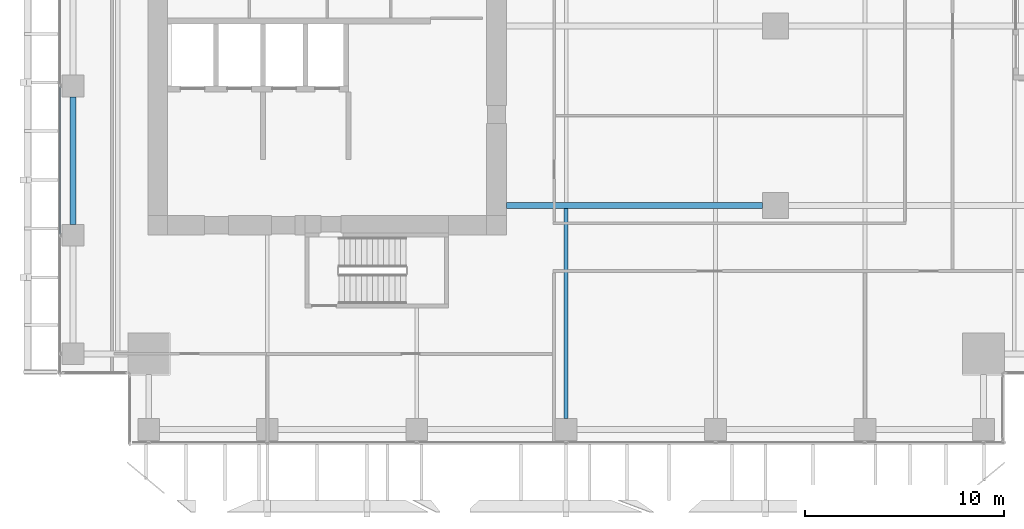
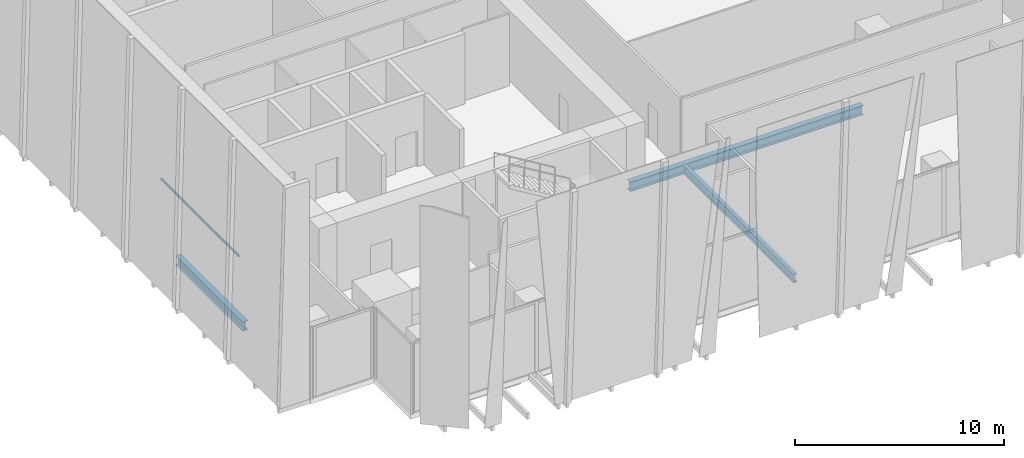
# One storey, part 6 of 36: 3 beams, 1 member, 1 element without a shape of its own.
"""IFC4 building model written with IfcOpenShell, lengths in metres."""

import ifcopenshell
import ifcopenshell.guid

model = None  # the IFC model being written
_history = None  # IfcOwnerHistory: only IFC2X3 demands one
_inside = {}  # id of a spatial element -> (the spatial element, [elements in it])
_under = {}  # id of a project, library or spatial element -> (it, [spatial elements below it])
_declared = {}  # id of a project -> (the project, [libraries it declares])
_typed = {}  # id of a type object -> (the type object, [elements of that type])
_made_of = {}  # id of a material, layer set ... -> (it, [elements and type objects made of it])


def new_model(schema):
    """Start an empty IFC model of exactly this schema.

    Asked for "IFC4X3", IfcOpenShell would pick the latest addendum, in which some entities
    have other attributes; the version numbers below select the first issue.
    IFC2X3 requires an IfcOwnerHistory on every rooted entity: one is made here for all.
    """
    global model, _history
    if schema == "IFC4X3":
        model = ifcopenshell.file(schema_version=(4, 3, 0, 0))
    else:
        model = ifcopenshell.file(schema=schema)
    _inside.clear()
    _under.clear()
    _declared.clear()
    _typed.clear()
    _made_of.clear()
    _history = None
    if model.schema == "IFC2X3":
        org = make("IfcOrganization", Name="unknown")
        user = make(
            "IfcPersonAndOrganization",
            ThePerson=make("IfcPerson", FamilyName="unknown"),
            TheOrganization=org,
        )
        app = make(
            "IfcApplication",
            ApplicationDeveloper=org,
            Version="unknown",
            ApplicationFullName="unknown",
            ApplicationIdentifier="unknown",
        )
        _history = make(
            "IfcOwnerHistory",
            OwningUser=user,
            OwningApplication=app,
            ChangeAction="ADDED",
            CreationDate=0,
        )
    return model


def make(cls, **values):
    """One entity of the class cls with the attributes given. An attribute that is None is left unset."""
    return model.create_entity(
        cls, **{name: value for name, value in values.items() if value is not None}
    )


def rooted(cls, **values):
    """An entity with a GlobalId (a new one), such as an element, a storey or a relation."""
    return make(cls, GlobalId=ifcopenshell.guid.new(), OwnerHistory=_history, **values)


def si_unit(unit_type, name, prefix=None):
    """IfcSIUnit, for example si_unit("LENGTHUNIT", "METRE", prefix="MILLI")."""
    return make("IfcSIUnit", UnitType=unit_type, Prefix=prefix, Name=name)


def assignment(units):
    """IfcUnitAssignment: the units of a project."""
    return None if units is None else make("IfcUnitAssignment", Units=units)


def point(xyz):
    """IfcCartesianPoint."""
    return None if xyz is None else make("IfcCartesianPoint", Coordinates=xyz)


def direction(xyz):
    """IfcDirection."""
    return None if xyz is None else make("IfcDirection", DirectionRatios=xyz)


def frame(location, z_axis=None, x_axis=None):
    """IfcAxis2Placement3D, a coordinate frame: its origin and axes. An axis left out is left unset."""
    return make(
        "IfcAxis2Placement3D",
        Location=point(location),
        Axis=direction(z_axis),
        RefDirection=direction(x_axis),
    )


def frame_2d(location, x_axis=None):
    """IfcAxis2Placement2D, a coordinate frame in the plane: its origin and x axis."""
    return make(
        "IfcAxis2Placement2D", Location=point(location), RefDirection=direction(x_axis)
    )


def origin():
    """The frame at (0, 0, 0) with its axes left unset."""
    return frame((0.0, 0.0, 0.0))


def origin_2d():
    """The frame at (0, 0) in the plane with its x axis left unset."""
    return frame_2d((0.0, 0.0))


def place(relative_to, where):
    """IfcLocalPlacement: puts the frame where relative to a parent placement (None: the world)."""
    return make(
        "IfcLocalPlacement", PlacementRelTo=relative_to, RelativePlacement=where
    )


def context(
    kind, dimensions, precision=None, world=None, true_north=None, identifier=None
):
    """IfcGeometricRepresentationContext, for example the 3D "Model" context."""
    return make(
        "IfcGeometricRepresentationContext",
        ContextIdentifier=identifier,
        ContextType=kind,
        CoordinateSpaceDimension=dimensions,
        Precision=precision,
        WorldCoordinateSystem=world,
        TrueNorth=true_north,
    )


def subcontext(parent, identifier, kind, view, scale=None):
    """IfcGeometricRepresentationSubContext, for example "Body" below "Model"."""
    return make(
        "IfcGeometricRepresentationSubContext",
        ContextIdentifier=identifier,
        ContextType=kind,
        ParentContext=parent,
        TargetScale=scale,
        TargetView=view,
    )


def project(units=None, contexts=None):
    """IfcProject with its units and contexts."""
    return rooted(
        "IfcProject",
        Name="project",
        RepresentationContexts=contexts,
        UnitsInContext=assignment(units),
    )


def spatial(cls, under=None, at=None, **own):
    """A site, building, storey or space (cls), placed at a placement, below another one or the project."""
    s = rooted(cls, ObjectPlacement=at, **own)
    if under is not None:
        _under.setdefault(under.id(), (under, []))[1].append(s)
    return s


def profile(cls, at=None, kind="AREA", **sizes):
    """A parametric profile (cls). Its sizes go by their IFC names, for example OverallWidth=200.0."""
    return make(cls, ProfileType=kind, Position=at, **sizes)


def hollow_rectangle(**sizes):
    """IfcRectangleHollowProfileDef."""
    return profile("IfcRectangleHollowProfileDef", **sizes)


def i_section(**sizes):
    """IfcIShapeProfileDef."""
    return profile("IfcIShapeProfileDef", **sizes)


def extrude(swept, where, along, depth):
    """IfcExtrudedAreaSolid: the profile swept, set in the frame where, extruded along a direction by depth."""
    return make(
        "IfcExtrudedAreaSolid",
        SweptArea=swept,
        Position=where,
        ExtrudedDirection=direction(along),
        Depth=depth,
    )


def shape(context_of_items, identifier, shape_type, items):
    """IfcShapeRepresentation: the items that make up one representation, for example the "Body"."""
    return make(
        "IfcShapeRepresentation",
        ContextOfItems=context_of_items,
        RepresentationIdentifier=identifier,
        RepresentationType=shape_type,
        Items=items,
    )


def source(mapping_origin, context_of_items, identifier, shape_type, items):
    """IfcRepresentationMap: a shape defined once, which mapped items show again and again."""
    return make(
        "IfcRepresentationMap",
        MappingOrigin=mapping_origin,
        MappedRepresentation=shape(context_of_items, identifier, shape_type, items),
    )


def transform(
    local_origin,
    x_axis=None,
    y_axis=None,
    z_axis=None,
    scale=None,
    scale2=None,
    scale3=None,
    uniform=True,
):
    """IfcCartesianTransformationOperator3D, or its non-uniform kind. x_axis, y_axis, z_axis: its Axis1, 2, 3."""
    if uniform:
        return make(
            "IfcCartesianTransformationOperator3D",
            Axis1=direction(x_axis),
            Axis2=direction(y_axis),
            LocalOrigin=point(local_origin),
            Scale=scale,
            Axis3=direction(z_axis),
        )
    return make(
        "IfcCartesianTransformationOperator3DnonUniform",
        Axis1=direction(x_axis),
        Axis2=direction(y_axis),
        LocalOrigin=point(local_origin),
        Scale=scale,
        Axis3=direction(z_axis),
        Scale2=scale2,
        Scale3=scale3,
    )


def mapped(mapping_source, mapping_target):
    """IfcMappedItem: shows the shape of a source again, moved by a transform."""
    return make(
        "IfcMappedItem", MappingSource=mapping_source, MappingTarget=mapping_target
    )


def material(Name=None, Category=None):
    """IfcMaterial."""
    return make("IfcMaterial", Name=Name, Category=Category)


def material_profile(
    of_material, cross_section, Name=None, Category=None, Priority=None
):
    """IfcMaterialProfile: a cross section and its material."""
    return make(
        "IfcMaterialProfile",
        Name=Name,
        Material=of_material,
        Profile=cross_section,
        Priority=Priority,
        Category=Category,
    )


def profile_set(profiles, Name=None, composite=None):
    """IfcMaterialProfileSet."""
    return make(
        "IfcMaterialProfileSet",
        Name=Name,
        MaterialProfiles=profiles,
        CompositeProfile=composite,
    )


def made_of(thing, what):
    """Note that an element or type object is made of a material, layer set ...; save() writes the relation."""
    if what is not None:
        _made_of.setdefault(what.id(), (what, []))[1].append(thing)
    return thing


def type_object(cls, material=None, **own):
    """A type object (cls), such as IfcWallType, which elements share."""
    return made_of(rooted(cls, **own), material)


def element(
    cls,
    number,
    at=None,
    inside=None,
    cuts=None,
    type_object=None,
    material=None,
    context=None,
    identifier="Body",
    shape_type=None,
    held_by="IfcProductDefinitionShape",
    body=None,
    shapes=None,
    **own,
):
    """One element of the class cls, such as IfcWall. Its Tag is "e" and its number.

    at: its placement. inside: the storey or other place that contains it. cuts: it is an
    opening in that element (IfcRelVoidsElement). A single representation is given by context,
    identifier, shape_type and body (its items); several are given by shapes. held_by: the class
    of the entity that holds the representations. save() writes the other relations.
    """
    e = rooted(cls, Tag="e%d" % number, ObjectPlacement=at, **own)
    if body is not None:
        shapes = [shape(context, identifier, shape_type, body)]
    if shapes is not None:
        e.Representation = make(held_by, Representations=shapes)
    if inside is not None:
        _inside.setdefault(inside.id(), (inside, []))[1].append(e)
    if cuts is not None:
        rooted(
            "IfcRelVoidsElement", RelatingBuildingElement=cuts, RelatedOpeningElement=e
        )
    if type_object is not None:
        _typed.setdefault(type_object.id(), (type_object, []))[1].append(e)
    return made_of(e, material)


def aggregate(whole, parts):
    """IfcRelAggregates: a whole, such as a stair, and the parts it consists of."""
    return rooted("IfcRelAggregates", RelatingObject=whole, RelatedObjects=parts)


def save(model, path):
    """Write the relations noted so far, then the file.

    IfcRelAggregates (storeys below a building ...), IfcRelContainedInSpatialStructure (elements
    in a storey), IfcRelDefinesByType, IfcRelAssociatesMaterial and IfcRelDeclares: one each for
    every whole, place, type object, material and project.
    """
    for whole, parts in _under.values():
        aggregate(whole, parts)
    for where, things in _inside.values():
        rooted(
            "IfcRelContainedInSpatialStructure",
            RelatedElements=things,
            RelatingStructure=where,
        )
    for kind, things in _typed.values():
        rooted("IfcRelDefinesByType", RelatedObjects=things, RelatingType=kind)
    for what, things in _made_of.values():
        rooted("IfcRelAssociatesMaterial", RelatedObjects=things, RelatingMaterial=what)
    for by, libraries in _declared.values():
        rooted("IfcRelDeclares", RelatingContext=by, RelatedDefinitions=libraries)
    model.write(path)


model = new_model("IFC4")

# Units and contexts
model_context = context("Model", 3, precision=1e-05, world=origin(), true_north=direction((0.0, 1.0)))
body_context = subcontext(model_context, "Body", "Model", "MODEL_VIEW")
ifc_project = project(units=[si_unit("LENGTHUNIT", "METRE"), si_unit("AREAUNIT", "SQUARE_METRE"), si_unit("VOLUMEUNIT", "CUBIC_METRE"), si_unit("PLANEANGLEUNIT", "RADIAN"), si_unit("MASSUNIT", "GRAM", prefix="KILO")], contexts=[model_context])

# Site, building, storey
site_placement = place(None, origin())
site = spatial("IfcSite", under=ifc_project, at=site_placement, CompositionType="ELEMENT")
building_placement = place(site_placement, origin())
building = spatial("IfcBuilding", under=site, at=building_placement, Name="Khomas Fold Tower", CompositionType="ELEMENT")
storey_placement = place(building_placement, frame((0.0, 0.0, 141.10009765625)))
storey = spatial("IfcBuildingStorey", under=building, at=storey_placement, Name="L30", CompositionType="ELEMENT", Elevation=141.10009765625)

# Beams
ifc_material_1 = material(Name="Steel S355", Category="steel")
ifc_material_profile_1 = material_profile(ifc_material_1, i_section(OverallWidth=0.300048828125, OverallDepth=0.550048828125, WebThickness=0.014892578125, FlangeThickness=0.029052734375, at=origin_2d()), Name="HE 550 B")
ifc_profile_set_1 = profile_set([ifc_material_profile_1], Name="Steel S355")
beam_type_1 = type_object("IfcBeamType", Name="HE 550 B spandrel SB2", PredefinedType="SPANDREL", material=ifc_profile_set_1)
shared_shape_1 = source(origin(), body_context, "Body", "SweptSolid", [
    extrude(i_section(OverallWidth=0.300048828125, OverallDepth=0.550048828125, WebThickness=0.014892578125, FlangeThickness=0.029052734375, at=origin_2d()), origin(), (0.0, 0.0, 1.0), 6.39990234375),
])
beam_1_placement = place(storey_placement, frame((2.25, 12.550048828125, -0.5751953125), z_axis=(0.0, 1.0, 0.0), x_axis=(-1.0, 0.0, 0.0)))
element("IfcBeam", 1, at=beam_1_placement, inside=storey, type_object=beam_type_1, Name="SB2", PredefinedType="SPANDREL", context=body_context, shape_type="MappedRepresentation", body=[
    mapped(shared_shape_1, transform((0.0, 0.0, 0.0))),
])
ifc_material_2 = material(Name="Steel S355", Category="steel")
ifc_material_profile_2 = material_profile(ifc_material_2, i_section(OverallWidth=0.300048828125, OverallDepth=0.550048828125, WebThickness=0.014892578125, FlangeThickness=0.029052734375, at=origin_2d()), Name="HE 550 B")
ifc_profile_set_2 = profile_set([ifc_material_profile_2], Name="Steel S355")
beam_type_2 = type_object("IfcBeamType", Name="HE 550 B beam GB4", PredefinedType="BEAM", material=ifc_profile_set_2)
shared_shape_2 = source(origin(), body_context, "Body", "SweptSolid", [
    extrude(i_section(OverallWidth=0.300048828125, OverallDepth=0.550048828125, WebThickness=0.014892578125, FlangeThickness=0.029052734375, at=origin_2d()), origin(), (0.0, 0.0, 1.0), 12.85009765625),
])
beam_2_placement = place(storey_placement, frame((24.0, 13.5, -0.5751953125), z_axis=(1.0, 0.0, 0.0), x_axis=(0.0, 1.0, 0.0)))
element("IfcBeam", 2, at=beam_2_placement, inside=storey, type_object=beam_type_2, Name="GB4", PredefinedType="BEAM", context=body_context, shape_type="MappedRepresentation", body=[
    mapped(shared_shape_2, transform((0.0, 0.0, 0.0))),
])
ifc_material_3 = material(Name="Steel S355", Category="steel")
ifc_material_profile_3 = material_profile(ifc_material_3, i_section(OverallWidth=0.199951171875, OverallDepth=0.5, WebThickness=0.01025390625, FlangeThickness=0.01611328125, at=origin_2d()), Name="IPE 500")
ifc_profile_set_3 = profile_set([ifc_material_profile_3], Name="Steel S355")
beam_type_3 = type_object("IfcBeamType", Name="IPE 500 beam JB5", PredefinedType="BEAM", material=ifc_profile_set_3)
shared_shape_3 = source(origin(), body_context, "Body", "SweptSolid", [
    extrude(i_section(OverallWidth=0.199951171875, OverallDepth=0.5, WebThickness=0.01025390625, FlangeThickness=0.01611328125, at=origin_2d()), origin(), (0.0, 0.0, 1.0), 10.550048828125),
])
beam_3_placement = place(storey_placement, frame((27.0, 2.800048828125, -0.550048828125), z_axis=(0.0, 1.0, 0.0), x_axis=(-1.0, 0.0, 0.0)))
element("IfcBeam", 3, at=beam_3_placement, inside=storey, type_object=beam_type_3, Name="JB5", PredefinedType="BEAM", context=body_context, shape_type="MappedRepresentation", body=[
    mapped(shared_shape_3, transform((0.0, 0.0, 0.0))),
])

# Curtain wall, member
ifc_material_4 = material(Name="Aluminium framed double glazing", Category="aluminium")
curtain_wall_type = type_object("IfcCurtainWallType", Name="SK-Unitised clear-glass wall, growing floors CW1", PredefinedType="NOTDEFINED", material=ifc_material_4)
curtain_wall_placement = place(storey_placement, origin())
curtain_wall = element("IfcCurtainWall", 4, at=curtain_wall_placement, inside=storey, type_object=curtain_wall_type, Name="CW1 run L30 09-0", PredefinedType="NOTDEFINED")
ifc_material_5 = material(Name="Aluminium", Category="aluminium")
ifc_material_profile_4 = material_profile(ifc_material_5, hollow_rectangle(XDim=0.06005859375, YDim=0.1201171875, WallThickness=0.00390625, at=origin_2d()), Name="SK-Unitised clear-glass wall, growing floors transom CW1-T")
ifc_profile_set_4 = profile_set([ifc_material_profile_4], Name="Aluminium")
member_type = type_object("IfcMemberType", Name="SK-Unitised clear-glass wall, growing floors transom CW1-T", PredefinedType="USERDEFINED", material=ifc_profile_set_4)
shared_shape_4 = source(origin(), body_context, "Body", "SweptSolid", [
    extrude(hollow_rectangle(XDim=0.06005859375, YDim=0.1201171875, WallThickness=0.00390625, at=origin_2d()), origin(), (0.0, 0.0, 1.0), 7.43994140625),
])
member_placement = place(storey_placement, frame((1.60009765625, 19.469970703125, 4.039794921875), z_axis=(0.0, -1.0, 0.0), x_axis=(1.0, 0.0, 0.0)))
member = element("IfcMember", 5, at=member_placement, type_object=member_type, Name="CW1 transom 6", ObjectType="TRANSOM", PredefinedType="USERDEFINED", context=body_context, shape_type="MappedRepresentation", body=[
    mapped(shared_shape_4, transform((0.0, 0.0, 0.0))),
])
aggregate(curtain_wall, [member])

save(model, "model.ifc")
